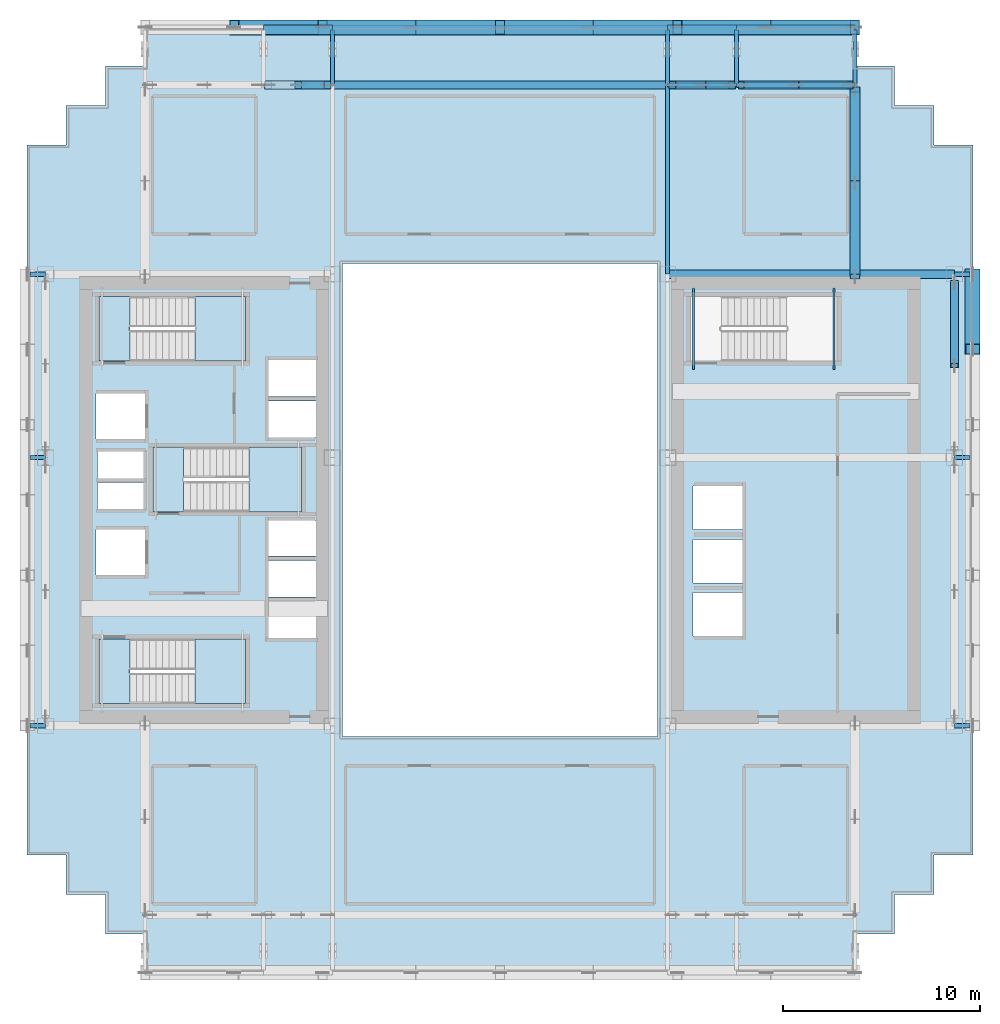
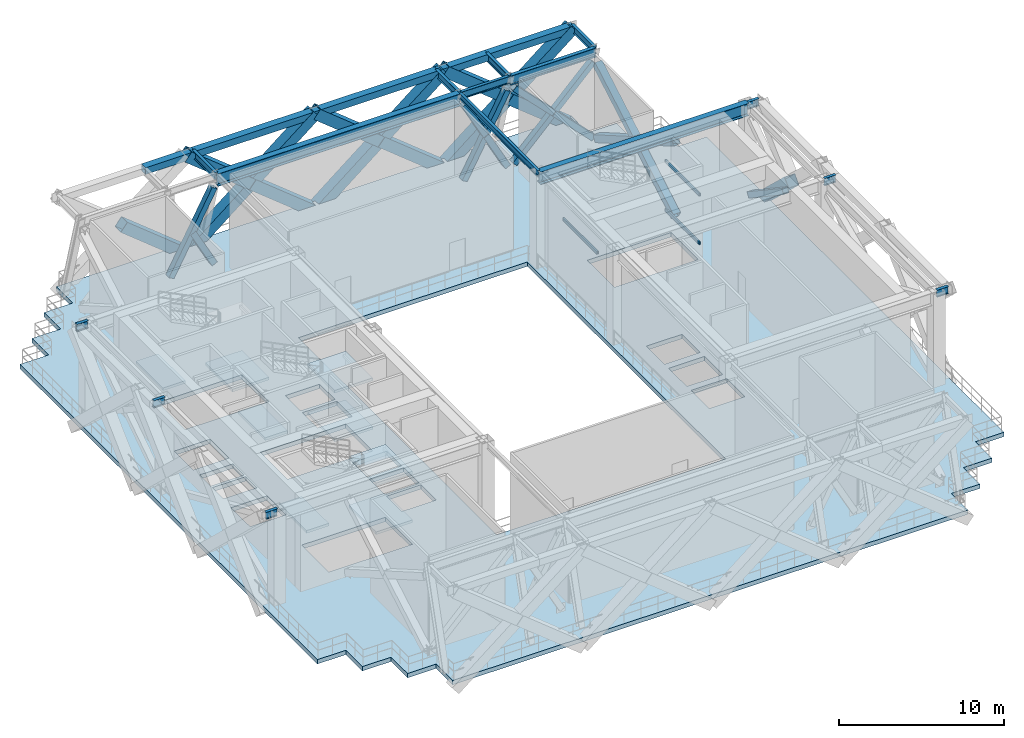
# One storey, part 3 of 14: 23 members, 22 beams, 9 slabs, 3 elements without a shape of their own.
"""IFC4 building model written with IfcOpenShell, lengths in metres."""

from ifc_helpers import new_model, si_unit, direction, frame, origin, origin_2d, place, context, subcontext, project, spatial, polyline, hollow_rectangle, i_section, outline, extrude, source, transform, mapped, material, layer, layer_set, material_profile, profile_set, type_object, element, aggregate, save


model = new_model("IFC4")

# Units and contexts
model_context = context("Model", 3, precision=1e-05, world=origin(), true_north=direction((0.0, 1.0)))
body_context = subcontext(model_context, "Body", "Model", "MODEL_VIEW")
ifc_project = project(units=[si_unit("LENGTHUNIT", "METRE"), si_unit("AREAUNIT", "SQUARE_METRE"), si_unit("VOLUMEUNIT", "CUBIC_METRE"), si_unit("PLANEANGLEUNIT", "RADIAN"), si_unit("MASSUNIT", "GRAM", prefix="KILO")], contexts=[model_context])

# Site, building, storey
site_placement = place(None, origin())
site = spatial("IfcSite", under=ifc_project, at=site_placement, CompositionType="ELEMENT")
building_placement = place(site_placement, origin())
building = spatial("IfcBuilding", under=site, at=building_placement, Name="Ocotamira Hotel", CompositionType="ELEMENT")
storey_placement = place(building_placement, frame((0.0, 0.0, 151.199951171875)))
storey = spatial("IfcBuildingStorey", under=building, at=storey_placement, Name="L38", CompositionType="ELEMENT", Elevation=151.199951171875)

# Beams
ifc_material_1 = material(Name="Steel ASTM A500 Grade C", Category="steel")
ifc_material_profile_1 = material_profile(ifc_material_1, hollow_rectangle(XDim=0.10009765625, YDim=0.199951171875, WallThickness=0.008056640625, at=origin_2d()), Name="HSS200X100X8")
ifc_profile_set_1 = profile_set([ifc_material_profile_1], Name="Steel ASTM A500 Grade C")
beam_type_1 = type_object("IfcBeamType", Name="BM-STLDG-HSS200", PredefinedType="BEAM", material=ifc_profile_set_1)
shared_shape_1 = source(origin(), body_context, "Body", "SweptSolid", [
    extrude(hollow_rectangle(XDim=0.10009765625, YDim=0.199951171875, WallThickness=0.008056640625, at=origin_2d()), origin(), (0.0, 0.0, 1.0), 4.1201171875),
])
for number, where, z_axis, x_axis, name in (
    (1, (48.949951171875, 32.6298828125, 1.5), (0.0, 1.0, 0.0), (-1.0, 0.0, 0.0), "L38 Stair ST-4 Landing Bearer 1"),
    (2, (41.81005859375, 32.6298828125, 3.300048828125), (0.0, 1.0, 0.0), (-1.0, 0.0, 0.0), "L38 Stair ST-4 Landing Bearer 2"),
    (3, (48.949951171875, 32.6298828125, 5.10009765625), (0.0, 1.0, 0.0), (-1.0, 0.0, 0.0), "L38 Stair ST-4 Landing Bearer 3"),
):
    element("IfcBeam", number, at=place(storey_placement, frame(where, z_axis=z_axis, x_axis=x_axis)), inside=storey, type_object=beam_type_1, Name=name, PredefinedType="BEAM", context=body_context, shape_type="MappedRepresentation", body=[
        mapped(shared_shape_1, transform((0.0, 0.0, 0.0), scale=1.0)),
    ])
ifc_material_2 = material(Name="Steel ASTM A992 Grade 50", Category="steel")
ifc_material_profile_2 = material_profile(ifc_material_2, i_section(OverallWidth=0.41796875, OverallDepth=0.927001953125, WebThickness=0.019287109375, FlangeThickness=0.031982421875, FilletRadius=0.02392578125, at=origin_2d()), Name="W36X231")
ifc_profile_set_2 = profile_set([ifc_material_profile_2], Name="Steel ASTM A992 Grade 50")
beam_type_2 = type_object("IfcBeamType", Name="BM-GIRD-W36X231", PredefinedType="BEAM", material=ifc_profile_set_2)
shared_shape_2 = source(origin(), body_context, "Body", "SweptSolid", [
    extrude(i_section(OverallWidth=0.41796875, OverallDepth=0.927001953125, WebThickness=0.019287109375, FlangeThickness=0.031982421875, FilletRadius=0.02392578125, at=origin_2d()), origin(), (0.0, 0.0, 1.0), 14.550048828125),
])
beam_1_placement = place(storey_placement, frame((40.5, 37.449951171875, 6.45654296875), z_axis=(1.0, 0.0, 0.0), x_axis=(0.0, 1.0, 0.0)))
element("IfcBeam", 4, at=beam_1_placement, inside=storey, type_object=beam_type_2, Name="L38 Girder Y37.45 X40.5-55.05", PredefinedType="BEAM", context=body_context, shape_type="MappedRepresentation", body=[
    mapped(shared_shape_2, transform((0.0, 0.0, 0.0), scale=1.0)),
])
shared_shape_3 = source(origin(), body_context, "Body", "SweptSolid", [
    extrude(i_section(OverallWidth=0.41796875, OverallDepth=0.927001953125, WebThickness=0.019287109375, FlangeThickness=0.031982421875, FilletRadius=0.02392578125, at=origin_2d()), origin(), (0.0, 0.0, 1.0), 17.0),
])
beam_2_placement = place(storey_placement, frame((23.5, 47.050048828125, 6.45654296875), z_axis=(1.0, 0.0, 0.0), x_axis=(0.0, 1.0, 0.0)))
element("IfcBeam", 5, at=beam_2_placement, inside=storey, type_object=beam_type_2, Name="L38 Girder Y47.05 X23.5-40.5", PredefinedType="BEAM", context=body_context, shape_type="MappedRepresentation", body=[
    mapped(shared_shape_3, transform((0.0, 0.0, 0.0), scale=1.0)),
])
ifc_material_profile_3 = material_profile(ifc_material_2, i_section(OverallWidth=0.256103515625, OverallDepth=0.693115234375, WebThickness=0.014404296875, FlangeThickness=0.023681640625, FilletRadius=0.01611328125, at=origin_2d()), Name="W27X114")
ifc_profile_set_3 = profile_set([ifc_material_profile_3], Name="Steel ASTM A992 Grade 50")
beam_type_3 = type_object("IfcBeamType", Name="BM-PRIM-W27X114", PredefinedType="BEAM", material=ifc_profile_set_3)
shared_shape_4 = source(origin(), body_context, "Body", "SweptSolid", [
    extrude(i_section(OverallWidth=0.256103515625, OverallDepth=0.693115234375, WebThickness=0.014404296875, FlangeThickness=0.023681640625, FilletRadius=0.01611328125, at=origin_2d()), origin(), (0.0, 0.0, 1.0), 6.0),
])
beam_3_placement = place(storey_placement, frame((44.0, 47.050048828125, 6.573486328125), z_axis=(1.0, 0.0, 0.0), x_axis=(0.0, 1.0, 0.0)))
element("IfcBeam", 6, at=beam_3_placement, inside=storey, type_object=beam_type_3, Name="L38 Girder Y47.05 X44-50", PredefinedType="BEAM", context=body_context, shape_type="MappedRepresentation", body=[
    mapped(shared_shape_4, transform((0.0, 0.0, 0.0), scale=1.0)),
])
ifc_material_profile_4 = material_profile(ifc_material_2, i_section(OverallWidth=0.2099609375, OverallDepth=0.537109375, WebThickness=0.010986328125, FlangeThickness=0.017333984375, FilletRadius=0.012939453125, at=origin_2d()), Name="W21X68")
ifc_profile_set_4 = profile_set([ifc_material_profile_4], Name="Steel ASTM A992 Grade 50")
beam_type_4 = type_object("IfcBeamType", Name="BM-SEC-W21X68", PredefinedType="JOIST", material=ifc_profile_set_4)
shared_shape_5 = source(origin(), body_context, "Body", "SweptSolid", [
    extrude(i_section(OverallWidth=0.2099609375, OverallDepth=0.537109375, WebThickness=0.010986328125, FlangeThickness=0.017333984375, FilletRadius=0.012939453125, at=origin_2d()), origin(), (0.0, 0.0, 1.0), 3.5),
])
beam_4_placement = place(storey_placement, frame((40.5, 47.050048828125, 6.651611328125), z_axis=(1.0, 0.0, 0.0), x_axis=(0.0, 1.0, 0.0)))
element("IfcBeam", 7, at=beam_4_placement, inside=storey, type_object=beam_type_4, Name="L38 Girder Y47.05 X40.5-44", PredefinedType="JOIST", context=body_context, shape_type="MappedRepresentation", body=[
    mapped(shared_shape_5, transform((0.0, 0.0, 0.0), scale=1.0)),
])
shared_shape_6 = source(origin(), body_context, "Body", "SweptSolid", [
    extrude(i_section(OverallWidth=0.2099609375, OverallDepth=0.537109375, WebThickness=0.010986328125, FlangeThickness=0.017333984375, FilletRadius=0.012939453125, at=origin_2d()), origin(), (0.0, 0.0, 1.0), 0.800048828125),
])
for number, where, z_axis, x_axis, name in (
    (8, (8.949951171875, 14.550048828125, 6.651611328125), (-1.0, 0.0, 0.0), (0.0, -1.0, 0.0), "L38 West Edge Header Y14.55"),
    (9, (55.050048828125, 14.550048828125, 6.651611328125), (1.0, 0.0, 0.0), (0.0, 1.0, 0.0), "L38 East Edge Header Y14.55"),
    (10, (8.949951171875, 28.14990234375, 6.651611328125), (-1.0, 0.0, 0.0), (0.0, -1.0, 0.0), "L38 West Edge Header Y28.15"),
    (11, (55.050048828125, 28.14990234375, 6.651611328125), (1.0, 0.0, 0.0), (0.0, 1.0, 0.0), "L38 East Edge Header Y28.15"),
    (12, (8.949951171875, 37.449951171875, 6.651611328125), (-1.0, 0.0, 0.0), (0.0, -1.0, 0.0), "L38 West Edge Header Y37.45"),
    (13, (55.050048828125, 37.449951171875, 6.651611328125), (1.0, 0.0, 0.0), (0.0, 1.0, 0.0), "L38 East Edge Header Y37.45"),
):
    element("IfcBeam", number, at=place(storey_placement, frame(where, z_axis=z_axis, x_axis=x_axis)), inside=storey, type_object=beam_type_4, Name=name, PredefinedType="JOIST", context=body_context, shape_type="MappedRepresentation", body=[
        mapped(shared_shape_6, transform((0.0, 0.0, 0.0), scale=1.0)),
    ])
ifc_material_profile_5 = material_profile(ifc_material_1, hollow_rectangle(XDim=0.5, YDim=0.5, WallThickness=0.02001953125, at=origin_2d()), Name="HSS500X500X20")
ifc_profile_set_5 = profile_set([ifc_material_profile_5], Name="Steel ASTM A500 Grade C")
beam_type_5 = type_object("IfcBeamType", Name="BM-SPAN-HSS500", PredefinedType="USERDEFINED", material=ifc_profile_set_5)
shared_shape_7 = source(origin(), body_context, "Body", "SweptSolid", [
    extrude(hollow_rectangle(XDim=0.5, YDim=0.5, WallThickness=0.02001953125, at=origin_2d()), origin(), (0.0, 0.0, 1.0), 6.0),
])
beam_5_placement = place(storey_placement, frame((44.0, 49.85009765625, 6.670166015625), z_axis=(1.0, 0.0, 0.0), x_axis=(0.0, 1.0, 0.0)))
element("IfcBeam", 14, at=beam_5_placement, inside=storey, type_object=beam_type_5, Name="L38 Edge Spandrel N X44-50", ObjectType="SPANDREL", PredefinedType="USERDEFINED", context=body_context, shape_type="MappedRepresentation", body=[
    mapped(shared_shape_7, transform((0.0, 0.0, 0.0), scale=1.0)),
])
shared_shape_8 = source(origin(), body_context, "Body", "SweptSolid", [
    extrude(hollow_rectangle(XDim=0.5, YDim=0.5, WallThickness=0.02001953125, at=origin_2d()), origin(), (0.0, 0.0, 1.0), 3.5),
])
for number, where, z_axis, x_axis, name in (
    (15, (20.0, 49.85009765625, 6.670166015625), (1.0, 0.0, 0.0), (0.0, 1.0, 0.0), "L38 Edge Spandrel N X20-23.5"),
    (16, (40.5, 49.85009765625, 6.670166015625), (1.0, 0.0, 0.0), (0.0, 1.0, 0.0), "L38 Edge Spandrel N X40.5-44"),
):
    element("IfcBeam", number, at=place(storey_placement, frame(where, z_axis=z_axis, x_axis=x_axis)), inside=storey, type_object=beam_type_5, Name=name, ObjectType="SPANDREL", PredefinedType="USERDEFINED", context=body_context, shape_type="MappedRepresentation", body=[
        mapped(shared_shape_8, transform((0.0, 0.0, 0.0), scale=1.0)),
    ])
shared_shape_9 = source(origin(), body_context, "Body", "SweptSolid", [
    extrude(hollow_rectangle(XDim=0.5, YDim=0.5, WallThickness=0.02001953125, at=origin_2d()), origin(), (0.0, 0.0, 1.0), 17.0),
])
beam_6_placement = place(storey_placement, frame((23.5, 49.85009765625, 6.670166015625), z_axis=(1.0, 0.0, 0.0), x_axis=(0.0, 1.0, 0.0)))
element("IfcBeam", 17, at=beam_6_placement, inside=storey, type_object=beam_type_5, Name="L38 Edge Spandrel N X23.5-40.5", ObjectType="SPANDREL", PredefinedType="USERDEFINED", context=body_context, shape_type="MappedRepresentation", body=[
    mapped(shared_shape_9, transform((0.0, 0.0, 0.0), scale=1.0)),
])
ifc_material_profile_6 = material_profile(ifc_material_2, i_section(OverallWidth=0.18994140625, OverallDepth=0.45703125, WebThickness=0.009033203125, FlangeThickness=0.014404296875, FilletRadius=0.010009765625, at=origin_2d()), Name="W18X50")
ifc_profile_set_6 = profile_set([ifc_material_profile_6], Name="Steel ASTM A992 Grade 50")
beam_type_6 = type_object("IfcBeamType", Name="BM-SEC-W18X50", PredefinedType="JOIST", material=ifc_profile_set_6)
shared_shape_10 = source(origin(), body_context, "Body", "SweptSolid", [
    extrude(i_section(OverallWidth=0.18994140625, OverallDepth=0.45703125, WebThickness=0.009033203125, FlangeThickness=0.014404296875, FilletRadius=0.010009765625, at=origin_2d()), origin(), (0.0, 0.0, 1.0), 9.60009765625),
])
beam_7_placement = place(storey_placement, frame((40.5, 37.449951171875, 6.691650390625), z_axis=(0.0, 1.0, 0.0), x_axis=(-1.0, 0.0, 0.0)))
element("IfcBeam", 18, at=beam_7_placement, inside=storey, type_object=beam_type_6, Name="L38 Beam X40.5 Y37.45-47.05", PredefinedType="JOIST", context=body_context, shape_type="MappedRepresentation", body=[
    mapped(shared_shape_10, transform((0.0, 0.0, 0.0), scale=1.0)),
])
shared_shape_11 = source(origin(), body_context, "Body", "SweptSolid", [
    extrude(i_section(OverallWidth=0.2099609375, OverallDepth=0.537109375, WebThickness=0.010986328125, FlangeThickness=0.017333984375, FilletRadius=0.012939453125, at=origin_2d()), origin(), (0.0, 0.0, 1.0), 2.800048828125),
])
for number, where, z_axis, x_axis, name in (
    (19, (23.5, 47.050048828125, 6.651611328125), (0.0, 1.0, 0.0), (-1.0, 0.0, 0.0), "L38 North Edge Header X23.5"),
    (20, (40.5, 47.050048828125, 6.651611328125), (0.0, 1.0, 0.0), (-1.0, 0.0, 0.0), "L38 North Edge Header X40.5"),
    (21, (44.0, 47.050048828125, 6.651611328125), (0.0, 1.0, 0.0), (-1.0, 0.0, 0.0), "L38 North Edge Header X44"),
    (22, (50.0, 47.050048828125, 6.651611328125), (0.0, 1.0, 0.0), (-1.0, 0.0, 0.0), "L38 North Edge Header X50"),
):
    element("IfcBeam", number, at=place(storey_placement, frame(where, z_axis=z_axis, x_axis=x_axis)), inside=storey, type_object=beam_type_4, Name=name, PredefinedType="JOIST", context=body_context, shape_type="MappedRepresentation", body=[
        mapped(shared_shape_11, transform((0.0, 0.0, 0.0), scale=1.0)),
    ])

# Members
ifc_material_3 = material(Name="Steel ASTM A913 Grade 65", Category="steel")
ifc_material_profile_7 = material_profile(ifc_material_3, hollow_rectangle(XDim=0.39990234375, YDim=0.39990234375, WallThickness=0.01611328125, at=origin_2d()), Name="HSS400X400X16")
ifc_profile_set_7 = profile_set([ifc_material_profile_7], Name="Steel ASTM A913 Grade 65")
member_type_1 = type_object("IfcMemberType", Name="MEM-BELT-HSS400", PredefinedType="BRACE", material=ifc_profile_set_7)
shared_shape_12 = source(origin(), body_context, "Body", "SweptSolid", [
    extrude(hollow_rectangle(XDim=0.39990234375, YDim=0.39990234375, WallThickness=0.01611328125, at=origin_2d()), origin(), (0.0, 0.0, 1.0), 7.870361328125),
])
member_1_placement = place(storey_placement, frame((44.239990234375, 47.050048828125, 0.35009765625), z_axis=(0.701375952143, 0.0, 0.712791535973), x_axis=(0.0, 1.0, 0.0)))
element("IfcMember", 23, at=member_1_placement, inside=storey, type_object=member_type_1, Name="L38 Belt Truss Diagonal 44,47.05 A", PredefinedType="BRACE", context=body_context, shape_type="MappedRepresentation", body=[
    mapped(shared_shape_12, transform((0.0, 0.0, 0.0), scale=1.0)),
])
shared_shape_13 = source(origin(), body_context, "Body", "SweptSolid", [
    extrude(hollow_rectangle(XDim=0.39990234375, YDim=0.39990234375, WallThickness=0.01611328125, at=origin_2d()), origin(), (0.0, 0.0, 1.0), 3.915283203125),
])
for number, where, z_axis, x_axis, name in (
    (24, (44.239990234375, 47.050048828125, 5.9599609375), (0.70137820504, 0.0, -0.712789319151), (0.0, 1.0, 0.0), "L38 Belt Truss Diagonal 44,47.05 B Lower Half"),
    (25, (47.013916015625, 47.050048828125, 3.140869140625), (0.70137820504, 0.0, -0.712789319151), (0.0, 1.0, 0.0), "L38 Belt Truss Diagonal 44,47.05 B Upper Half"),
):
    element("IfcMember", number, at=place(storey_placement, frame(where, z_axis=z_axis, x_axis=x_axis)), inside=storey, type_object=member_type_1, Name=name, PredefinedType="BRACE", context=body_context, shape_type="MappedRepresentation", body=[
        mapped(shared_shape_13, transform((0.0, 0.0, 0.0), scale=1.0)),
    ])
shared_shape_14 = source(origin(), body_context, "Body", "SweptSolid", [
    extrude(hollow_rectangle(XDim=0.39990234375, YDim=0.39990234375, WallThickness=0.01611328125, at=origin_2d()), origin(), (0.0, 0.0, 1.0), 6.37109375),
])
for number, where, z_axis, x_axis, name in (
    (26, (20.239990234375, 47.050048828125, 0.35009765625), (0.474017556158, 0.0, 0.880515392514), (0.0, 1.0, 0.0), "L38 Belt Truss Diagonal 20,47.05 A"),
    (27, (40.739990234375, 47.050048828125, 0.35009765625), (0.474017556158, 0.0, 0.880515392514), (0.0, 1.0, 0.0), "L38 Belt Truss Diagonal 40.5,47.05 A"),
):
    element("IfcMember", number, at=place(storey_placement, frame(where, z_axis=z_axis, x_axis=x_axis)), inside=storey, type_object=member_type_1, Name=name, PredefinedType="BRACE", context=body_context, shape_type="MappedRepresentation", body=[
        mapped(shared_shape_14, transform((0.0, 0.0, 0.0), scale=1.0)),
    ])
shared_shape_15 = source(origin(), body_context, "Body", "SweptSolid", [
    extrude(hollow_rectangle(XDim=0.39990234375, YDim=0.39990234375, WallThickness=0.01611328125, at=origin_2d()), origin(), (0.0, 0.0, 1.0), 3.16552734375),
])
for number, where, z_axis, x_axis, name in (
    (28, (21.759521484375, 47.050048828125, 3.137451171875), (0.474003238469, 0.0, -0.880523100163), (0.0, 1.0, 0.0), "L38 Belt Truss Diagonal 20,47.05 B Upper Half"),
    (29, (40.739990234375, 47.050048828125, 5.9599609375), (0.474003238469, 0.0, -0.880523100163), (0.0, 1.0, 0.0), "L38 Belt Truss Diagonal 40.5,47.05 B Lower Half"),
    (30, (42.259521484375, 47.050048828125, 3.137451171875), (0.474003238469, 0.0, -0.880523100163), (0.0, 1.0, 0.0), "L38 Belt Truss Diagonal 40.5,47.05 B Upper Half"),
):
    element("IfcMember", number, at=place(storey_placement, frame(where, z_axis=z_axis, x_axis=x_axis)), inside=storey, type_object=member_type_1, Name=name, PredefinedType="BRACE", context=body_context, shape_type="MappedRepresentation", body=[
        mapped(shared_shape_15, transform((0.0, 0.0, 0.0), scale=1.0)),
    ])
shared_shape_16 = source(origin(), body_context, "Body", "SweptSolid", [
    extrude(hollow_rectangle(XDim=0.39990234375, YDim=0.39990234375, WallThickness=0.01611328125, at=origin_2d()), origin(), (0.0, 0.0, 1.0), 5.038818359375),
])
member_2_placement = place(storey_placement, frame((55.050048828125, 32.816650390625, 3.14404296875), z_axis=(0.0, 0.832199345178, -0.554476554857), x_axis=(-1.0, 0.0, 0.0)))
element("IfcMember", 31, at=member_2_placement, inside=storey, type_object=member_type_1, Name="L38 Belt Truss Diagonal 55.05,28.15 B Upper Half", PredefinedType="BRACE", context=body_context, shape_type="MappedRepresentation", body=[
    mapped(shared_shape_16, transform((0.0, 0.0, 0.0), scale=1.0)),
])
ifc_material_profile_8 = material_profile(ifc_material_3, hollow_rectangle(XDim=0.5, YDim=0.5, WallThickness=0.02001953125, at=origin_2d()), Name="HSS500X500X20")
ifc_profile_set_8 = profile_set([ifc_material_profile_8], Name="Steel ASTM A913 Grade 65")
member_type_2 = type_object("IfcMemberType", Name="MEM-OUT-HSS500", PredefinedType="BRACE", material=ifc_profile_set_8)
shared_shape_17 = source(origin(), body_context, "Body", "SweptSolid", [
    extrude(hollow_rectangle(XDim=0.5, YDim=0.5, WallThickness=0.02001953125, at=origin_2d()), origin(), (0.0, 0.0, 1.0), 10.968017578125),
])
member_3_placement = place(storey_placement, frame((50.0, 37.324951171875, 0.35009765625), z_axis=(0.0, 0.86571011466, 0.500545699588), x_axis=(-1.0, 0.0, 0.0)))
element("IfcMember", 32, at=member_3_placement, inside=storey, type_object=member_type_2, Name="L38 Outrigger Truss N X50 A", PredefinedType="BRACE", context=body_context, shape_type="MappedRepresentation", body=[
    mapped(shared_shape_17, transform((0.0, 0.0, 0.0), scale=1.0)),
])
shared_shape_18 = source(origin(), body_context, "Body", "SweptSolid", [
    extrude(hollow_rectangle(XDim=0.5, YDim=0.5, WallThickness=0.02001953125, at=origin_2d()), origin(), (0.0, 0.0, 1.0), 5.464111328125),
])
member_4_placement = place(storey_placement, frame((50.0, 37.324951171875, 5.840087890625), z_axis=(0.0, 0.865699435504, -0.500564169081), x_axis=(-1.0, 0.0, 0.0)))
element("IfcMember", 33, at=member_4_placement, inside=storey, type_object=member_type_2, Name="L38 Outrigger Truss N X50 B Lower Half", PredefinedType="BRACE", context=body_context, shape_type="MappedRepresentation", body=[
    mapped(shared_shape_18, transform((0.0, 0.0, 0.0), scale=1.0)),
])
shared_shape_19 = source(origin(), body_context, "Body", "SweptSolid", [
    extrude(hollow_rectangle(XDim=0.5, YDim=0.5, WallThickness=0.02001953125, at=origin_2d()), origin(), (0.0, 0.0, 1.0), 5.4638671875),
])
member_5_placement = place(storey_placement, frame((50.0, 42.08984375, 3.0849609375), z_axis=(0.0, 0.865718797383, -0.500530682234), x_axis=(-1.0, 0.0, 0.0)))
element("IfcMember", 34, at=member_5_placement, inside=storey, type_object=member_type_2, Name="L38 Outrigger Truss N X50 B Upper Half", PredefinedType="BRACE", context=body_context, shape_type="MappedRepresentation", body=[
    mapped(shared_shape_19, transform((0.0, 0.0, 0.0), scale=1.0)),
])
ifc_material_4 = material(Name="Pale-metal coated steel ASTM A913 Grade 65", Category="steel")
ifc_material_profile_9 = material_profile(ifc_material_4, hollow_rectangle(XDim=0.75, YDim=0.75, WallThickness=0.028076171875, at=origin_2d()), Name="BOX750X750X28")
ifc_profile_set_9 = profile_set([ifc_material_profile_9], Name="Pale-metal coated steel ASTM A913 Grade 65")
member_type_3 = type_object("IfcMemberType", Name="MEM-EXO-BOX750", PredefinedType="BRACE", material=ifc_profile_set_9)
shared_shape_20 = source(origin(), body_context, "Body", "SweptSolid", [
    extrude(hollow_rectangle(XDim=0.75, YDim=0.75, WallThickness=0.028076171875, at=origin_2d()), origin(), (0.0, 0.0, 1.0), 11.55078125),
])
for number, where, z_axis, x_axis, name in (
    (35, (23.0, 49.969970703125, -0.570068359375), (0.779166772516, 0.0, 0.626816672247), (0.0, 1.0, 0.0), "L38 Exoskeleton Diagrid N1.1"),
    (36, (32.0, 49.969970703125, -0.570068359375), (0.779166772516, 0.0, 0.626816672247), (0.0, 1.0, 0.0), "L38 Exoskeleton Diagrid N2.1"),
    (37, (41.0, 49.969970703125, -0.570068359375), (0.779166772516, 0.0, 0.626816672247), (0.0, 1.0, 0.0), "L38 Exoskeleton Diagrid N3.1"),
):
    element("IfcMember", number, at=place(storey_placement, frame(where, z_axis=z_axis, x_axis=x_axis)), inside=storey, type_object=member_type_3, Name=name, PredefinedType="BRACE", context=body_context, shape_type="MappedRepresentation", body=[
        mapped(shared_shape_20, transform((0.0, 0.0, 0.0), scale=1.0)),
    ])
shared_shape_21 = source(origin(), body_context, "Body", "SweptSolid", [
    extrude(hollow_rectangle(XDim=0.75, YDim=0.75, WallThickness=0.028076171875, at=origin_2d()), origin(), (0.0, 0.0, 1.0), 5.75537109375),
])
for number, where, z_axis, x_axis, name in (
    (38, (23.0, 49.969970703125, -0.570068359375), (-0.779156701488, 0.0, 0.626829190869), (0.0, -1.0, 0.0), "L38 Exoskeleton Diagrid N0.2 Lower Half"),
    (39, (32.0, 49.969970703125, -0.570068359375), (-0.779156701488, 0.0, 0.626829190869), (0.0, -1.0, 0.0), "L38 Exoskeleton Diagrid N1.2 Lower Half"),
    (40, (27.484375, 49.969970703125, 3.0625), (-0.779156701488, 0.0, 0.626829190869), (0.0, -1.0, 0.0), "L38 Exoskeleton Diagrid N1.2 Upper Half"),
    (41, (41.0, 49.969970703125, -0.570068359375), (-0.779156701488, 0.0, 0.626829190869), (0.0, -1.0, 0.0), "L38 Exoskeleton Diagrid N2.2 Lower Half"),
    (42, (36.484375, 49.969970703125, 3.0625), (-0.779156701488, 0.0, 0.626829190869), (0.0, -1.0, 0.0), "L38 Exoskeleton Diagrid N2.2 Upper Half"),
    (43, (50.0, 49.969970703125, -0.570068359375), (-0.779156701488, 0.0, 0.626829190869), (0.0, -1.0, 0.0), "L38 Exoskeleton Diagrid N3.2 Lower Half"),
    (44, (45.484375, 49.969970703125, 3.0625), (-0.779156701488, 0.0, 0.626829190869), (0.0, -1.0, 0.0), "L38 Exoskeleton Diagrid N3.2 Upper Half"),
):
    element("IfcMember", number, at=place(storey_placement, frame(where, z_axis=z_axis, x_axis=x_axis)), inside=storey, type_object=member_type_3, Name=name, PredefinedType="BRACE", context=body_context, shape_type="MappedRepresentation", body=[
        mapped(shared_shape_21, transform((0.0, 0.0, 0.0), scale=1.0)),
    ])
shared_shape_22 = source(origin(), body_context, "Body", "SweptSolid", [
    extrude(hollow_rectangle(XDim=0.75, YDim=0.75, WallThickness=0.028076171875, at=origin_2d()), origin(), (0.0, 0.0, 1.0), 5.240478515625),
])
member_6_placement = place(storey_placement, frame((55.969970703125, 37.449951171875, -0.570068359375), z_axis=(0.0, -0.725519166826, 0.688201960596), x_axis=(1.0, 0.0, 0.0)))
element("IfcMember", 45, at=member_6_placement, inside=storey, type_object=member_type_3, Name="L38 Exoskeleton Diagrid E2.2 Lower Half", PredefinedType="BRACE", context=body_context, shape_type="MappedRepresentation", body=[
    mapped(shared_shape_22, transform((0.0, 0.0, 0.0), scale=1.0)),
])

# Slab
ifc_material_5 = material(Name="Concrete C40/50", Category="concrete")
ifc_layer_1 = layer(ifc_material_5, 0.320068359375)
ifc_layer_set_1 = layer_set([ifc_layer_1], Name="Concrete C40/50")
slab_type_1 = type_object("IfcSlabType", Name="SLB-HVY-320", PredefinedType="FLOOR", material=ifc_layer_set_1)
slab_1_placement = place(storey_placement, frame((0.0, 0.0, -0.320068359375)))
element("IfcSlab", 46, at=slab_1_placement, inside=storey, type_object=slab_type_1, Name="L38 Structural Floor Slab", PredefinedType="FLOOR", context=body_context, shape_type="SweptSolid", body=[
    extrude(outline(polyline([(14.0, 2.0), (50.0, 2.0), (50.0, 4.0), (52.0, 4.0), (52.0, 6.0), (54.0, 6.0), (54.0, 8.0), (56.0, 8.0), (56.0, 44.0), (54.0, 44.0), (54.0, 46.0), (52.0, 46.0), (52.0, 48.0), (50.0, 48.0), (50.0, 50.0), (14.0, 50.0), (14.0, 48.0), (12.0, 48.0), (12.0, 46.0), (10.0, 46.0), (10.0, 44.0), (8.0, 44.0), (8.0, 8.0), (10.0, 8.0), (10.0, 6.0), (12.0, 6.0), (12.0, 4.0), (14.0, 4.0), (14.0, 2.0)]), holes=[polyline([(24.0, 14.0), (40.0, 14.0), (40.0, 38.0), (24.0, 38.0), (24.0, 14.0)]), polyline([(13.22998046875, 15.669921875), (19.090087890625, 15.669921875), (19.090087890625, 18.949951171875), (13.22998046875, 18.949951171875), (13.22998046875, 15.669921875)]), polyline([(13.22998046875, 33.050048828125), (19.090087890625, 33.050048828125), (19.090087890625, 36.330078125), (13.22998046875, 36.330078125), (13.22998046875, 33.050048828125)]), polyline([(15.9599609375, 25.39990234375), (21.919921875, 25.39990234375), (21.919921875, 28.679931640625), (15.9599609375, 28.679931640625), (15.9599609375, 25.39990234375)]), polyline([(43.22998046875, 33.050048828125), (49.090087890625, 33.050048828125), (49.090087890625, 36.330078125), (43.22998046875, 36.330078125), (43.22998046875, 33.050048828125)]), polyline([(41.800048828125, 19.10009765625), (44.300048828125, 19.10009765625), (44.300048828125, 21.300048828125), (41.800048828125, 21.300048828125), (41.800048828125, 19.10009765625)]), polyline([(41.800048828125, 21.800048828125), (44.300048828125, 21.800048828125), (44.300048828125, 24.0), (41.800048828125, 24.0), (41.800048828125, 21.800048828125)]), polyline([(41.800048828125, 24.5), (44.300048828125, 24.5), (44.300048828125, 26.699951171875), (41.800048828125, 26.699951171875), (41.800048828125, 24.5)]), polyline([(20.25, 19.0), (22.659912109375, 19.0), (22.659912109375, 20.85009765625), (20.25, 20.85009765625), (20.25, 19.0)]), polyline([(20.25, 21.080078125), (22.659912109375, 21.080078125), (22.659912109375, 22.929931640625), (20.25, 22.929931640625), (20.25, 21.080078125)]), polyline([(20.25, 23.159912109375), (22.659912109375, 23.159912109375), (22.659912109375, 24.9599609375), (20.25, 24.9599609375), (20.25, 23.159912109375)]), polyline([(20.25, 29.179931640625), (22.659912109375, 29.179931640625), (22.659912109375, 31.030029296875), (20.25, 31.030029296875), (20.25, 29.179931640625)]), polyline([(20.25, 31.260009765625), (22.659912109375, 31.260009765625), (22.659912109375, 33.110107421875), (20.25, 33.110107421875), (20.25, 31.260009765625)]), polyline([(11.5, 22.199951171875), (14.0, 22.199951171875), (14.0, 24.5), (11.5, 24.5), (11.5, 22.199951171875)]), polyline([(11.5, 29.10009765625), (14.0, 29.10009765625), (14.0, 31.39990234375), (11.5, 31.39990234375), (11.5, 29.10009765625)]), polyline([(11.580078125, 25.550048828125), (13.919921875, 25.550048828125), (13.919921875, 26.89990234375), (11.580078125, 26.89990234375), (11.580078125, 25.550048828125)]), polyline([(11.580078125, 27.10009765625), (13.919921875, 27.10009765625), (13.919921875, 28.449951171875), (11.580078125, 28.449951171875), (11.580078125, 27.10009765625)])]), origin(), (0.0, 0.0, 1.0), 0.320068359375),
])

# Stair, slabs
stair_type = type_object("IfcStairType", Name="ST-CORE-1560", PredefinedType="HALF_TURN_STAIR", material=ifc_material_5)
stair_1_placement = place(storey_placement, origin())
stair_1 = element("IfcStair", 47, at=stair_1_placement, inside=storey, type_object=stair_type, Name="L38 Exit Stair ST-1", PredefinedType="HALF_TURN_STAIR")
ifc_layer_2 = layer(ifc_material_5, 0.199951171875)
ifc_layer_set_2 = layer_set([ifc_layer_2], Name="Concrete C40/50")
slab_type_2 = type_object("IfcSlabType", Name="SLB-LAND-200", PredefinedType="LANDING", material=ifc_layer_set_2)
slab_2_placement = place(storey_placement, frame((0.0, 0.0, 1.60009765625)))
slab_2 = element("IfcSlab", 48, at=slab_2_placement, type_object=slab_type_2, Name="ST-1 landing 1", PredefinedType="LANDING", context=body_context, shape_type="SweptSolid", body=[
    extrude(outline(polyline([(16.530029296875, 15.669921875), (19.090087890625, 15.669921875), (19.090087890625, 18.949951171875), (16.530029296875, 18.949951171875), (16.530029296875, 15.669921875)])), origin(), (0.0, 0.0, 1.0), 0.199951171875),
])
slab_3_placement = place(storey_placement, frame((0.0, 0.0, 3.400146484375)))
slab_3 = element("IfcSlab", 49, at=slab_3_placement, type_object=slab_type_2, Name="ST-1 landing 2", PredefinedType="LANDING", context=body_context, shape_type="SweptSolid", body=[
    extrude(outline(polyline([(11.669921875, 15.669921875), (13.22998046875, 15.669921875), (13.22998046875, 18.949951171875), (11.669921875, 18.949951171875), (11.669921875, 15.669921875)])), origin(), (0.0, 0.0, 1.0), 0.199951171875),
])
slab_4_placement = place(storey_placement, frame((0.0, 0.0, 5.199951171875)))
slab_4 = element("IfcSlab", 50, at=slab_4_placement, type_object=slab_type_2, Name="ST-1 landing 3", PredefinedType="LANDING", context=body_context, shape_type="SweptSolid", body=[
    extrude(outline(polyline([(16.530029296875, 15.669921875), (19.090087890625, 15.669921875), (19.090087890625, 18.949951171875), (16.530029296875, 18.949951171875), (16.530029296875, 15.669921875)])), origin(), (0.0, 0.0, 1.0), 0.2001953125),
])
aggregate(stair_1, [slab_2, slab_3, slab_4])

stair_2_placement = place(storey_placement, origin())
stair_2 = element("IfcStair", 51, at=stair_2_placement, inside=storey, type_object=stair_type, Name="L38 Exit Stair ST-2", PredefinedType="HALF_TURN_STAIR")
slab_5_placement = place(storey_placement, frame((0.0, 0.0, 1.60009765625)))
slab_5 = element("IfcSlab", 52, at=slab_5_placement, type_object=slab_type_2, Name="ST-2 landing 1", PredefinedType="LANDING", context=body_context, shape_type="SweptSolid", body=[
    extrude(outline(polyline([(16.530029296875, 33.050048828125), (19.090087890625, 33.050048828125), (19.090087890625, 36.330078125), (16.530029296875, 36.330078125), (16.530029296875, 33.050048828125)])), origin(), (0.0, 0.0, 1.0), 0.199951171875),
])
slab_6_placement = place(storey_placement, frame((0.0, 0.0, 3.400146484375)))
slab_6 = element("IfcSlab", 53, at=slab_6_placement, type_object=slab_type_2, Name="ST-2 landing 2", PredefinedType="LANDING", context=body_context, shape_type="SweptSolid", body=[
    extrude(outline(polyline([(11.669921875, 33.050048828125), (13.22998046875, 33.050048828125), (13.22998046875, 36.330078125), (11.669921875, 36.330078125), (11.669921875, 33.050048828125)])), origin(), (0.0, 0.0, 1.0), 0.199951171875),
])
aggregate(stair_2, [slab_5, slab_6])

stair_3_placement = place(storey_placement, origin())
stair_3 = element("IfcStair", 54, at=stair_3_placement, inside=storey, type_object=stair_type, Name="L38 Exit Stair ST-3", PredefinedType="HALF_TURN_STAIR")
slab_7_placement = place(storey_placement, frame((0.0, 0.0, 1.60009765625)))
slab_7 = element("IfcSlab", 55, at=slab_7_placement, type_object=slab_type_2, Name="ST-3 landing 1", PredefinedType="LANDING", context=body_context, shape_type="SweptSolid", body=[
    extrude(outline(polyline([(19.260009765625, 25.39990234375), (21.919921875, 25.39990234375), (21.919921875, 28.679931640625), (19.260009765625, 28.679931640625), (19.260009765625, 25.39990234375)])), origin(), (0.0, 0.0, 1.0), 0.199951171875),
])
slab_8_placement = place(storey_placement, frame((0.0, 0.0, 3.400146484375)))
slab_8 = element("IfcSlab", 56, at=slab_8_placement, type_object=slab_type_2, Name="ST-3 landing 2", PredefinedType="LANDING", context=body_context, shape_type="SweptSolid", body=[
    extrude(outline(polyline([(14.39990234375, 25.39990234375), (15.9599609375, 25.39990234375), (15.9599609375, 28.679931640625), (14.39990234375, 28.679931640625), (14.39990234375, 25.39990234375)])), origin(), (0.0, 0.0, 1.0), 0.199951171875),
])
slab_9_placement = place(storey_placement, frame((0.0, 0.0, 5.199951171875)))
slab_9 = element("IfcSlab", 57, at=slab_9_placement, type_object=slab_type_2, Name="ST-3 landing 3", PredefinedType="LANDING", context=body_context, shape_type="SweptSolid", body=[
    extrude(outline(polyline([(19.260009765625, 25.39990234375), (21.919921875, 25.39990234375), (21.919921875, 28.679931640625), (19.260009765625, 28.679931640625), (19.260009765625, 25.39990234375)])), origin(), (0.0, 0.0, 1.0), 0.2001953125),
])
aggregate(stair_3, [slab_7, slab_8, slab_9])

save(model, "model.ifc")
